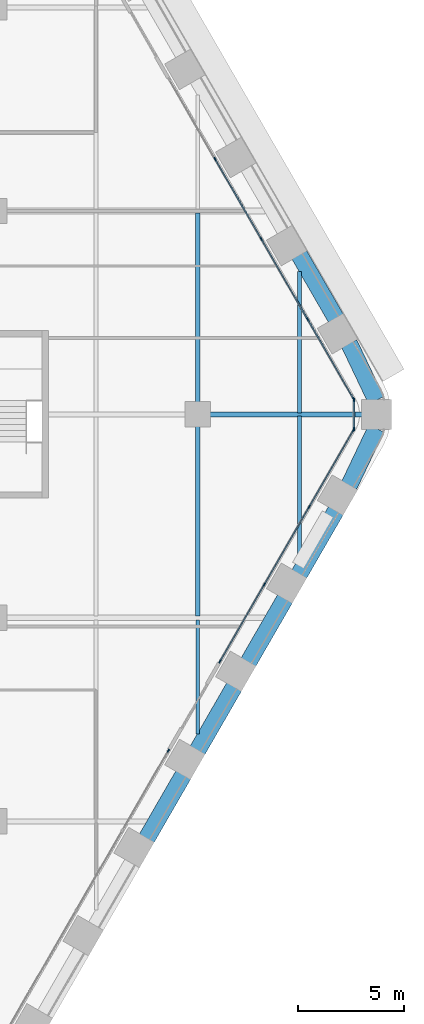
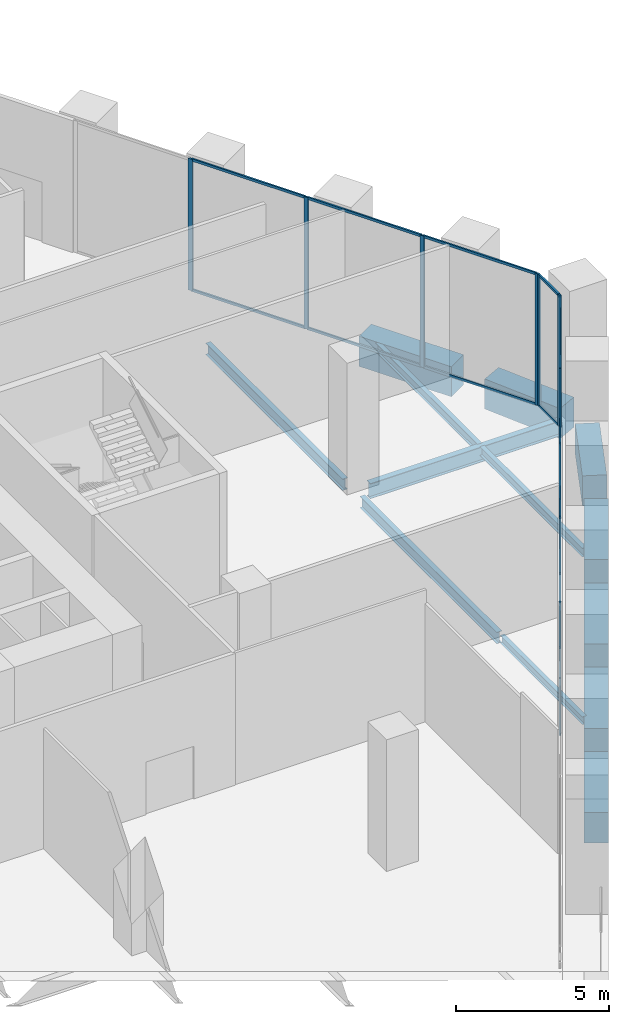
# One storey, part 11 of 27: 25 members, 13 beams, 4 elements without a shape of their own.
"""IFC4 building model written with IfcOpenShell, lengths in metres."""

from ifc_helpers import new_model, si_unit, direction, frame, origin, origin_2d, place, context, subcontext, project, spatial, rectangle, i_section, extrude, material, material_profile, profile_set, type_object, element, aggregate, save


model = new_model("IFC4")

# Units and contexts
model_context = context("Model", 3, precision=1e-05, world=origin(), true_north=direction((0.0, 1.0)))
body_context = subcontext(model_context, "Body", "Model", "MODEL_VIEW")
ifc_project = project(units=[si_unit("LENGTHUNIT", "METRE"), si_unit("AREAUNIT", "SQUARE_METRE"), si_unit("VOLUMEUNIT", "CUBIC_METRE"), si_unit("PLANEANGLEUNIT", "RADIAN"), si_unit("MASSUNIT", "GRAM", prefix="KILO")], contexts=[model_context])

# Site, building, storey
site_placement = place(None, origin())
site = spatial("IfcSite", under=ifc_project, at=site_placement, CompositionType="ELEMENT")
building_placement = place(site_placement, origin())
building = spatial("IfcBuilding", under=site, at=building_placement, Name="Kolab Exchange Tower", CompositionType="ELEMENT")
storey_placement = place(building_placement, frame((0.0, 0.0, 49.89990234375)))
storey = spatial("IfcBuildingStorey", under=building, at=storey_placement, Name="L09", CompositionType="ELEMENT", Elevation=49.89990234375)

# Beams
ifc_material_1 = material(Name="Steel S355", Category="steel")
ifc_material_profile_1 = material_profile(ifc_material_1, i_section(OverallWidth=0.1650390625, OverallDepth=0.31005859375, WebThickness=0.005859375, FlangeThickness=0.009765625, at=origin_2d()), Name="W310X39")
ifc_profile_set_1 = profile_set([ifc_material_profile_1], Name="Steel S355")
beam_type_1 = type_object("IfcBeamType", Name="FLOOR BEAM W310X39", PredefinedType="BEAM", material=ifc_profile_set_1)
beam_1_placement = place(storey_placement, frame((28.800048828125, -15.067626953125, -0.40478515625), z_axis=(0.0, 1.0, 0.0), x_axis=(-1.0, 0.0, 0.0)))
element("IfcBeam", 1, at=beam_1_placement, inside=storey, type_object=beam_type_1, Name="beam/L09/fr/058", PredefinedType="BEAM", context=body_context, shape_type="SweptSolid", body=[
    extrude(i_section(OverallWidth=0.1650390625, OverallDepth=0.31005859375, WebThickness=0.005859375, FlangeThickness=0.009765625, at=origin_2d()), origin(), (0.0, 0.0, 1.0), 5.3740234375),
])
ifc_material_profile_2 = material_profile(ifc_material_1, i_section(OverallWidth=0.1708984375, OverallDepth=0.35498046875, WebThickness=0.007080078125, FlangeThickness=0.01171875, at=origin_2d()), Name="W360X51")
ifc_profile_set_2 = profile_set([ifc_material_profile_2], Name="Steel S355")
beam_type_2 = type_object("IfcBeamType", Name="FLOOR BEAM W360X51", PredefinedType="BEAM", material=ifc_profile_set_2)
for number, where, z_axis, x_axis, name in (
    (2, (33.60009765625, -6.75390625, -0.427490234375), (0.0, 1.0, 0.0), (-1.0, 0.0, 0.0), "beam/L09/fr/062"),
    (3, (33.60009765625, 0.073974609375, -0.427490234375), (0.0, 1.0, 0.0), (-1.0, 0.0, 0.0), "beam/L09/fr/063"),
):
    element("IfcBeam", number, at=place(storey_placement, frame(where, z_axis=z_axis, x_axis=x_axis)), inside=storey, type_object=beam_type_2, Name=name, PredefinedType="BEAM", context=body_context, shape_type="SweptSolid", body=[
        extrude(i_section(OverallWidth=0.1708984375, OverallDepth=0.35498046875, WebThickness=0.007080078125, FlangeThickness=0.01171875, at=origin_2d()), origin(), (0.0, 0.0, 1.0), 6.679931640625),
    ])
ifc_material_profile_3 = material_profile(ifc_material_1, i_section(OverallWidth=0.18994140625, OverallDepth=0.45703125, WebThickness=0.009033203125, FlangeThickness=0.014404296875, at=origin_2d()), Name="W460X74")
ifc_profile_set_3 = profile_set([ifc_material_profile_3], Name="Steel S355")
beam_type_3 = type_object("IfcBeamType", Name="FLOOR BEAM W460X74", PredefinedType="BEAM", material=ifc_profile_set_3)
for number, where, z_axis, x_axis, name in (
    (4, (28.800048828125, -9.506591796875, -0.478515625), (0.0, 1.0, 0.0), (-1.0, 0.0, 0.0), "beam/L09/fr/059"),
    (5, (28.800048828125, 0.56005859375, -0.478515625), (0.0, 1.0, 0.0), (-1.0, 0.0, 0.0), "beam/L09/fr/060"),
):
    element("IfcBeam", number, at=place(storey_placement, frame(where, z_axis=z_axis, x_axis=x_axis)), inside=storey, type_object=beam_type_3, Name=name, PredefinedType="BEAM", context=body_context, shape_type="SweptSolid", body=[
        extrude(i_section(OverallWidth=0.18994140625, OverallDepth=0.45703125, WebThickness=0.009033203125, FlangeThickness=0.014404296875, at=origin_2d()), origin(), (0.0, 0.0, 1.0), 8.946533203125),
    ])
ifc_material_profile_4 = material_profile(ifc_material_1, i_section(OverallWidth=0.22802734375, OverallDepth=0.60791015625, WebThickness=0.01123046875, FlangeThickness=0.017333984375, at=origin_2d()), Name="W610X113")
ifc_profile_set_4 = profile_set([ifc_material_profile_4], Name="Steel S355")
beam_type_4 = type_object("IfcBeamType", Name="FLOOR GIRDER W610X113", PredefinedType="BEAM", material=ifc_profile_set_4)
beam_2_placement = place(storey_placement, frame((29.360107421875, 0.0, -0.553955078125), z_axis=(1.0, 0.0, 0.0), x_axis=(0.0, 1.0, 0.0)))
element("IfcBeam", 6, at=beam_2_placement, inside=storey, type_object=beam_type_4, Name="beam/L09/gd/025", PredefinedType="BEAM", context=body_context, shape_type="SweptSolid", body=[
    extrude(i_section(OverallWidth=0.22802734375, OverallDepth=0.60791015625, WebThickness=0.01123046875, FlangeThickness=0.017333984375, at=origin_2d()), origin(), (0.0, 0.0, 1.0), 7.2158203125),
])
ifc_material_2 = material(Name="Concrete C80/95", Category="concrete")
ifc_material_profile_5 = material_profile(ifc_material_2, rectangle(XDim=0.800048828125, YDim=1.199951171875, at=origin_2d()), Name="RC800X1200")
ifc_profile_set_5 = profile_set([ifc_material_profile_5], Name="Concrete C80/95")
beam_type_5 = type_object("IfcBeamType", Name="SPANDREL BEAM 800X1200 C80/95", PredefinedType="BEAM", material=ifc_profile_set_5)
beam_3_placement = place(storey_placement, frame((33.58349609375, 7.542236328125, -0.849853515625), z_axis=(0.500009906705, -0.86601968407, 0.0), x_axis=(0.86601968407, 0.500009906705, 0.0)))
element("IfcBeam", 7, at=beam_3_placement, inside=storey, type_object=beam_type_5, Name="beam/L09/sp/F2-07", PredefinedType="BEAM", context=body_context, shape_type="SweptSolid", body=[
    extrude(rectangle(XDim=0.800048828125, YDim=1.199951171875, at=origin_2d()), origin(), (0.0, 0.0, 1.0), 3.47998046875),
])
for number, where, z_axis, x_axis, name in (
    (8, (35.93798828125, 3.35888671875, -0.849853515625), (0.429555669245, -0.903040379507, 0.0), (0.903040379507, 0.429555669245, 0.0), "beam/L09/sp/F2-08"),
    (9, (37.219970703125, -0.663818359375, -0.849853515625), (-0.429555669245, -0.903040379507, 0.0), (0.903040379507, -0.429555669245, 0.0), "beam/L09/sp/F3-01"),
):
    element("IfcBeam", number, at=place(storey_placement, frame(where, z_axis=z_axis, x_axis=x_axis)), inside=storey, type_object=beam_type_5, Name=name, PredefinedType="BEAM", context=body_context, shape_type="SweptSolid", body=[
        extrude(rectangle(XDim=0.800048828125, YDim=1.199951171875, at=origin_2d()), origin(), (0.0, 0.0, 1.0), 2.984375),
    ])
beam_4_placement = place(storey_placement, frame((35.323486328125, -4.528564453125, -0.849853515625), z_axis=(-0.500009906705, -0.86601968407, 0.0), x_axis=(0.86601968407, -0.500009906705, 0.0)))
element("IfcBeam", 10, at=beam_4_placement, inside=storey, type_object=beam_type_5, Name="beam/L09/sp/F3-02", PredefinedType="BEAM", context=body_context, shape_type="SweptSolid", body=[
    extrude(rectangle(XDim=0.800048828125, YDim=1.199951171875, at=origin_2d()), origin(), (0.0, 0.0, 1.0), 3.47998046875),
])
for number, where, z_axis, x_axis, name in (
    (11, (32.923583984375, -8.685302734375, -0.849853515625), (-0.499979528911, -0.866037222451, 0.0), (0.866037222451, -0.499979528911, 0.0), "beam/L09/sp/F3-03"),
    (12, (30.523681640625, -12.84228515625, -0.849853515625), (-0.499979528911, -0.866037222451, 0.0), (0.866037222451, -0.499979528911, 0.0), "beam/L09/sp/F3-04"),
):
    element("IfcBeam", number, at=place(storey_placement, frame(where, z_axis=z_axis, x_axis=x_axis)), inside=storey, type_object=beam_type_5, Name=name, PredefinedType="BEAM", context=body_context, shape_type="SweptSolid", body=[
        extrude(rectangle(XDim=0.800048828125, YDim=1.199951171875, at=origin_2d()), origin(), (0.0, 0.0, 1.0), 3.480224609375),
    ])
beam_5_placement = place(storey_placement, frame((28.12353515625, -16.999267578125, -0.849853515625), z_axis=(-0.500009906705, -0.86601968407, 0.0), x_axis=(0.86601968407, -0.500009906705, 0.0)))
element("IfcBeam", 13, at=beam_5_placement, inside=storey, type_object=beam_type_5, Name="beam/L09/sp/F3-05", PredefinedType="BEAM", context=body_context, shape_type="SweptSolid", body=[
    extrude(rectangle(XDim=0.800048828125, YDim=1.199951171875, at=origin_2d()), origin(), (0.0, 0.0, 1.0), 3.47998046875),
])

# Curtain wall, members
ifc_material_3 = material(Name="Aluminium EN AW-6063 T6", Category="aluminium")
curtain_wall_type = type_object("IfcCurtainWallType", Name="UNITISED LOW ZONE CURTAIN WALL", PredefinedType="NOTDEFINED", material=ifc_material_3)
curtain_wall_1_placement = place(storey_placement, origin())
curtain_wall_1 = element("IfcCurtainWall", 14, at=curtain_wall_1_placement, inside=storey, type_object=curtain_wall_type, Name="cw/L09/F2-2", PredefinedType="NOTDEFINED")
ifc_material_profile_6 = material_profile(ifc_material_3, rectangle(XDim=0.06005859375, YDim=0.159912109375, at=origin_2d()), Name="RECT 60X160")
ifc_profile_set_6 = profile_set([ifc_material_profile_6], Name="Aluminium EN AW-6063 T6")
member_type_1 = type_object("IfcMemberType", Name="UNITISED LOW ZONE MULLION 60 X 160", PredefinedType="MULLION", material=ifc_profile_set_6)
member_1_placement = place(storey_placement, frame((29.615234375, 12.0556640625, 0.0), z_axis=(0.0, 0.0, 1.0), x_axis=(0.866025422102, 0.499999968274, 0.0)))
member_1 = element("IfcMember", 15, at=member_1_placement, type_object=member_type_1, Name="CW1 mullion 2", PredefinedType="MULLION", context=body_context, shape_type="SweptSolid", body=[
    extrude(rectangle(XDim=0.06005859375, YDim=0.159912109375, at=origin_2d()), origin(), (0.0, 0.0, 1.0), 5.25),
])
member_2_placement = place(storey_placement, frame((31.798583984375, 8.27392578125, 0.0), z_axis=(0.0, 0.0, 1.0), x_axis=(0.866025422102, 0.499999968274, 0.0)))
member_2 = element("IfcMember", 16, at=member_2_placement, type_object=member_type_1, Name="CW1 mullion 3", PredefinedType="MULLION", context=body_context, shape_type="SweptSolid", body=[
    extrude(rectangle(XDim=0.06005859375, YDim=0.159912109375, at=origin_2d()), origin(), (0.0, 0.0, 1.0), 5.25),
])
member_3_placement = place(storey_placement, frame((33.982177734375, 4.491943359375, 0.0), z_axis=(0.0, 0.0, 1.0), x_axis=(0.866025422102, 0.499999968274, 0.0)))
member_3 = element("IfcMember", 17, at=member_3_placement, type_object=member_type_1, Name="CW1 mullion 4", PredefinedType="MULLION", context=body_context, shape_type="SweptSolid", body=[
    extrude(rectangle(XDim=0.06005859375, YDim=0.159912109375, at=origin_2d()), origin(), (0.0, 0.0, 1.0), 5.25),
])
member_4_placement = place(storey_placement, frame((36.150634765625, 0.736083984375, 0.0), z_axis=(0.0, 0.0, 1.0), x_axis=(0.866025422102, 0.499999968274, 0.0)))
member_4 = element("IfcMember", 18, at=member_4_placement, type_object=member_type_1, Name="CW1 mullion 5", PredefinedType="MULLION", context=body_context, shape_type="SweptSolid", body=[
    extrude(rectangle(XDim=0.06005859375, YDim=0.159912109375, at=origin_2d()), origin(), (0.0, 0.0, 1.0), 5.25),
])

curtain_wall_2_placement = place(storey_placement, origin())
curtain_wall_2 = element("IfcCurtainWall", 19, at=curtain_wall_2_placement, inside=storey, type_object=curtain_wall_type, Name="cw/L09/F3-1", PredefinedType="NOTDEFINED")
member_5_placement = place(storey_placement, frame((36.150634765625, -0.736083984375, 0.0), z_axis=(0.0, 0.0, 1.0), x_axis=(0.866025427826, -0.499999958358, 0.0)))
member_5 = element("IfcMember", 20, at=member_5_placement, type_object=member_type_1, Name="CW1 mullion 1", PredefinedType="MULLION", context=body_context, shape_type="SweptSolid", body=[
    extrude(rectangle(XDim=0.06005859375, YDim=0.159912109375, at=origin_2d()), origin(), (0.0, 0.0, 1.0), 5.25),
])
member_6_placement = place(storey_placement, frame((34.054443359375, -4.366943359375, 0.0), z_axis=(0.0, 0.0, 1.0), x_axis=(0.866025427826, -0.499999958358, 0.0)))
member_6 = element("IfcMember", 21, at=member_6_placement, type_object=member_type_1, Name="CW1 mullion 2", PredefinedType="MULLION", context=body_context, shape_type="SweptSolid", body=[
    extrude(rectangle(XDim=0.06005859375, YDim=0.159912109375, at=origin_2d()), origin(), (0.0, 0.0, 1.0), 5.25),
])
member_7_placement = place(storey_placement, frame((31.943115234375, -8.02392578125, 0.0), z_axis=(0.0, 0.0, 1.0), x_axis=(0.866025427826, -0.499999958358, 0.0)))
member_7 = element("IfcMember", 22, at=member_7_placement, type_object=member_type_1, Name="CW1 mullion 3", PredefinedType="MULLION", context=body_context, shape_type="SweptSolid", body=[
    extrude(rectangle(XDim=0.06005859375, YDim=0.159912109375, at=origin_2d()), origin(), (0.0, 0.0, 1.0), 5.25),
])
member_8_placement = place(storey_placement, frame((29.8466796875, -11.65478515625, 0.0), z_axis=(0.0, 0.0, 1.0), x_axis=(0.866025427826, -0.499999958358, 0.0)))
member_8 = element("IfcMember", 23, at=member_8_placement, type_object=member_type_1, Name="CW1 mullion 4", PredefinedType="MULLION", context=body_context, shape_type="SweptSolid", body=[
    extrude(rectangle(XDim=0.06005859375, YDim=0.159912109375, at=origin_2d()), origin(), (0.0, 0.0, 1.0), 5.25),
])

# Curtain wall, member
curtain_wall_3_placement = place(storey_placement, origin())
curtain_wall_3 = element("IfcCurtainWall", 24, at=curtain_wall_3_placement, inside=storey, type_object=curtain_wall_type, Name="cw/L09/F3-2", PredefinedType="NOTDEFINED")
member_9_placement = place(storey_placement, frame((27.416748046875, -15.86376953125, 0.0), z_axis=(0.0, 0.0, 1.0), x_axis=(0.866025397318, -0.5000000112, 0.0)))
member_9 = element("IfcMember", 25, at=member_9_placement, type_object=member_type_1, Name="CW1 mullion 1", PredefinedType="MULLION", context=body_context, shape_type="SweptSolid", body=[
    extrude(rectangle(XDim=0.06005859375, YDim=0.159912109375, at=origin_2d()), origin(), (0.0, 0.0, 1.0), 5.25),
])
aggregate(curtain_wall_3, [member_9])

# Curtain wall, members
curtain_wall_4_placement = place(storey_placement, origin())
curtain_wall_4 = element("IfcCurtainWall", 26, at=curtain_wall_4_placement, inside=storey, type_object=curtain_wall_type, Name="cw/L09/F2F3-corner", PredefinedType="NOTDEFINED")
member_10_placement = place(storey_placement, frame((36.165771484375, 0.679931640625, 0.0), z_axis=(0.0, 0.0, 1.0), x_axis=(1.0, 0.0, 0.0)))
member_10 = element("IfcMember", 27, at=member_10_placement, type_object=member_type_1, Name="CW1 mullion 1", PredefinedType="MULLION", context=body_context, shape_type="SweptSolid", body=[
    extrude(rectangle(XDim=0.06005859375, YDim=0.159912109375, at=origin_2d()), origin(), (0.0, 0.0, 1.0), 5.25),
])
member_11_placement = place(storey_placement, frame((36.165771484375, -0.679931640625, 0.0), z_axis=(0.0, 0.0, 1.0), x_axis=(1.0, 0.0, 0.0)))
member_11 = element("IfcMember", 28, at=member_11_placement, type_object=member_type_1, Name="CW1 mullion 2", PredefinedType="MULLION", context=body_context, shape_type="SweptSolid", body=[
    extrude(rectangle(XDim=0.06005859375, YDim=0.159912109375, at=origin_2d()), origin(), (0.0, 0.0, 1.0), 5.25),
])

# Member
ifc_material_profile_7 = material_profile(ifc_material_3, rectangle(XDim=0.06005859375, YDim=0.10009765625, at=origin_2d()), Name="RECT 60X100")
ifc_profile_set_7 = profile_set([ifc_material_profile_7], Name="Aluminium EN AW-6063 T6")
member_type_2 = type_object("IfcMemberType", Name="UNITISED LOW ZONE TRANSOM 60 X 100", PredefinedType="USERDEFINED", material=ifc_profile_set_7)
member_12_placement = place(storey_placement, frame((29.630126953125, 12.02978515625, 0.030029296875), z_axis=(0.500010313095, -0.866019449435, 0.0), x_axis=(0.866019449435, 0.500010313095, 0.0)))
member_12 = element("IfcMember", 29, at=member_12_placement, type_object=member_type_2, Name="CW1 transom 2.1", ObjectType="TRANSOM", PredefinedType="USERDEFINED", context=body_context, shape_type="SweptSolid", body=[
    extrude(rectangle(XDim=0.06005859375, YDim=0.10009765625, at=origin_2d()), origin(), (0.0, 0.0, 1.0), 4.30712890625),
])

member_13_placement = place(storey_placement, frame((29.630126953125, 12.02978515625, 5.22021484375), z_axis=(0.500010313095, -0.866019449435, 0.0), x_axis=(0.866019449435, 0.500010313095, 0.0)))
member_13 = element("IfcMember", 30, at=member_13_placement, type_object=member_type_2, Name="CW1 transom 2.2", ObjectType="TRANSOM", PredefinedType="USERDEFINED", context=body_context, shape_type="SweptSolid", body=[
    extrude(rectangle(XDim=0.06005859375, YDim=0.10009765625, at=origin_2d()), origin(), (0.0, 0.0, 1.0), 4.30712890625),
])

member_14_placement = place(storey_placement, frame((31.813720703125, 8.247802734375, 0.030029296875), z_axis=(0.499967798808, -0.866043994353, 0.0), x_axis=(0.866043994353, 0.499967798808, 0.0)))
member_14 = element("IfcMember", 31, at=member_14_placement, type_object=member_type_2, Name="CW1 transom 3.1", ObjectType="TRANSOM", PredefinedType="USERDEFINED", context=body_context, shape_type="SweptSolid", body=[
    extrude(rectangle(XDim=0.06005859375, YDim=0.10009765625, at=origin_2d()), origin(), (0.0, 0.0, 1.0), 4.306884765625),
])

member_15_placement = place(storey_placement, frame((31.813720703125, 8.247802734375, 5.22021484375), z_axis=(0.499967798808, -0.866043994353, 0.0), x_axis=(0.866043994353, 0.499967798808, 0.0)))
member_15 = element("IfcMember", 32, at=member_15_placement, type_object=member_type_2, Name="CW1 transom 3.2", ObjectType="TRANSOM", PredefinedType="USERDEFINED", context=body_context, shape_type="SweptSolid", body=[
    extrude(rectangle(XDim=0.06005859375, YDim=0.10009765625, at=origin_2d()), origin(), (0.0, 0.0, 1.0), 4.306884765625),
])

member_16_placement = place(storey_placement, frame((33.9970703125, 4.4658203125, 0.030029296875), z_axis=(0.500043627578, -0.866000213925, 0.0), x_axis=(0.866000213925, 0.500043627578, 0.0)))
member_16 = element("IfcMember", 33, at=member_16_placement, type_object=member_type_2, Name="CW1 transom 4.1", ObjectType="TRANSOM", PredefinedType="USERDEFINED", context=body_context, shape_type="SweptSolid", body=[
    extrude(rectangle(XDim=0.06005859375, YDim=0.10009765625, at=origin_2d()), origin(), (0.0, 0.0, 1.0), 4.27685546875),
])

member_17_placement = place(storey_placement, frame((33.9970703125, 4.4658203125, 5.22021484375), z_axis=(0.500043627578, -0.866000213925, 0.0), x_axis=(0.866000213925, 0.500043627578, 0.0)))
member_17 = element("IfcMember", 34, at=member_17_placement, type_object=member_type_2, Name="CW1 transom 4.2", ObjectType="TRANSOM", PredefinedType="USERDEFINED", context=body_context, shape_type="SweptSolid", body=[
    extrude(rectangle(XDim=0.06005859375, YDim=0.10009765625, at=origin_2d()), origin(), (0.0, 0.0, 1.0), 4.27685546875),
])

aggregate(curtain_wall_1, [member_1, member_2, member_3, member_4, member_12, member_13, member_14, member_15, member_16, member_17])

member_18_placement = place(storey_placement, frame((36.1357421875, -0.761962890625, 0.030029296875), z_axis=(-0.500027577057, -0.866009481578, 0.0), x_axis=(0.866009481578, -0.500027577057, 0.0)))
member_18 = element("IfcMember", 35, at=member_18_placement, type_object=member_type_2, Name="CW1 transom 1.1", ObjectType="TRANSOM", PredefinedType="USERDEFINED", context=body_context, shape_type="SweptSolid", body=[
    extrude(rectangle(XDim=0.06005859375, YDim=0.10009765625, at=origin_2d()), origin(), (0.0, 0.0, 1.0), 4.132568359375),
])

member_19_placement = place(storey_placement, frame((36.1357421875, -0.761962890625, 5.22021484375), z_axis=(-0.500027577057, -0.866009481578, 0.0), x_axis=(0.866009481578, -0.500027577057, 0.0)))
member_19 = element("IfcMember", 36, at=member_19_placement, type_object=member_type_2, Name="CW1 transom 1.2", ObjectType="TRANSOM", PredefinedType="USERDEFINED", context=body_context, shape_type="SweptSolid", body=[
    extrude(rectangle(XDim=0.06005859375, YDim=0.10009765625, at=origin_2d()), origin(), (0.0, 0.0, 1.0), 4.132568359375),
])

member_20_placement = place(storey_placement, frame((34.039306640625, -4.392822265625, 0.030029296875), z_axis=(-0.49999322259, -0.866029316688, 0.0), x_axis=(0.866029316688, -0.49999322259, 0.0)))
member_20 = element("IfcMember", 37, at=member_20_placement, type_object=member_type_2, Name="CW1 transom 2.1", ObjectType="TRANSOM", PredefinedType="USERDEFINED", context=body_context, shape_type="SweptSolid", body=[
    extrude(rectangle(XDim=0.06005859375, YDim=0.10009765625, at=origin_2d()), origin(), (0.0, 0.0, 1.0), 4.16259765625),
])

member_21_placement = place(storey_placement, frame((34.039306640625, -4.392822265625, 5.22021484375), z_axis=(-0.49999322259, -0.866029316688, 0.0), x_axis=(0.866029316688, -0.49999322259, 0.0)))
member_21 = element("IfcMember", 38, at=member_21_placement, type_object=member_type_2, Name="CW1 transom 2.2", ObjectType="TRANSOM", PredefinedType="USERDEFINED", context=body_context, shape_type="SweptSolid", body=[
    extrude(rectangle(XDim=0.06005859375, YDim=0.10009765625, at=origin_2d()), origin(), (0.0, 0.0, 1.0), 4.16259765625),
])

member_22_placement = place(storey_placement, frame((31.927978515625, -8.0498046875, 0.030029296875), z_axis=(-0.500001996123, -0.866024251319, 0.0), x_axis=(0.866024251319, -0.500001996123, 0.0)))
member_22 = element("IfcMember", 39, at=member_22_placement, type_object=member_type_2, Name="CW1 transom 3.1", ObjectType="TRANSOM", PredefinedType="USERDEFINED", context=body_context, shape_type="SweptSolid", body=[
    extrude(rectangle(XDim=0.06005859375, YDim=0.10009765625, at=origin_2d()), origin(), (0.0, 0.0, 1.0), 4.1328125),
])

member_23_placement = place(storey_placement, frame((31.927978515625, -8.0498046875, 5.22021484375), z_axis=(-0.500001996123, -0.866024251319, 0.0), x_axis=(0.866024251319, -0.500001996123, 0.0)))
member_23 = element("IfcMember", 40, at=member_23_placement, type_object=member_type_2, Name="CW1 transom 3.2", ObjectType="TRANSOM", PredefinedType="USERDEFINED", context=body_context, shape_type="SweptSolid", body=[
    extrude(rectangle(XDim=0.06005859375, YDim=0.10009765625, at=origin_2d()), origin(), (0.0, 0.0, 1.0), 4.1328125),
])

aggregate(curtain_wall_2, [member_5, member_6, member_7, member_8, member_18, member_19, member_20, member_21, member_22, member_23])

member_24_placement = place(storey_placement, frame((36.165771484375, 0.64990234375, 0.030029296875), z_axis=(0.0, -1.0, 0.0), x_axis=(1.0, 0.0, 0.0)))
member_24 = element("IfcMember", 41, at=member_24_placement, type_object=member_type_2, Name="CW1 transom 1.1", ObjectType="TRANSOM", PredefinedType="USERDEFINED", context=body_context, shape_type="SweptSolid", body=[
    extrude(rectangle(XDim=0.06005859375, YDim=0.10009765625, at=origin_2d()), origin(), (0.0, 0.0, 1.0), 1.2998046875),
])

member_25_placement = place(storey_placement, frame((36.165771484375, 0.64990234375, 5.22021484375), z_axis=(0.0, -1.0, 0.0), x_axis=(1.0, 0.0, 0.0)))
member_25 = element("IfcMember", 42, at=member_25_placement, type_object=member_type_2, Name="CW1 transom 1.2", ObjectType="TRANSOM", PredefinedType="USERDEFINED", context=body_context, shape_type="SweptSolid", body=[
    extrude(rectangle(XDim=0.06005859375, YDim=0.10009765625, at=origin_2d()), origin(), (0.0, 0.0, 1.0), 1.2998046875),
])

aggregate(curtain_wall_4, [member_10, member_11, member_24, member_25])

save(model, "model.ifc")
